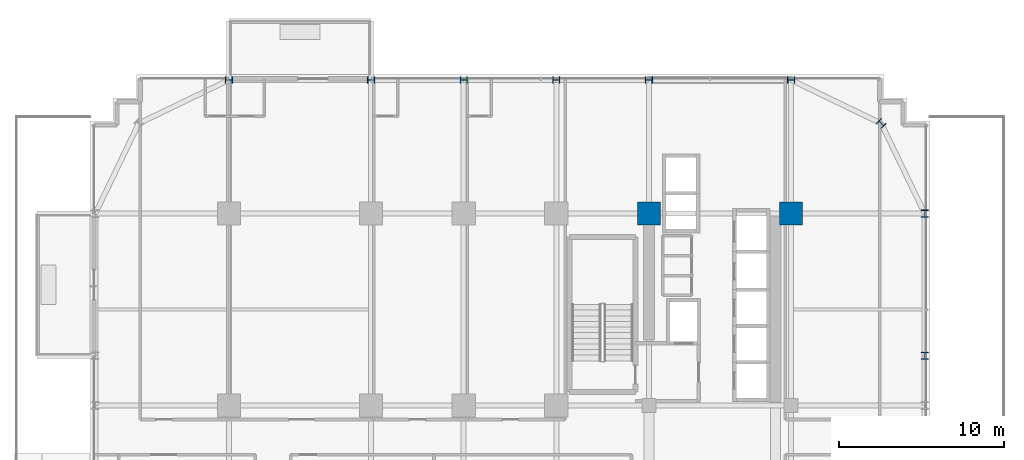
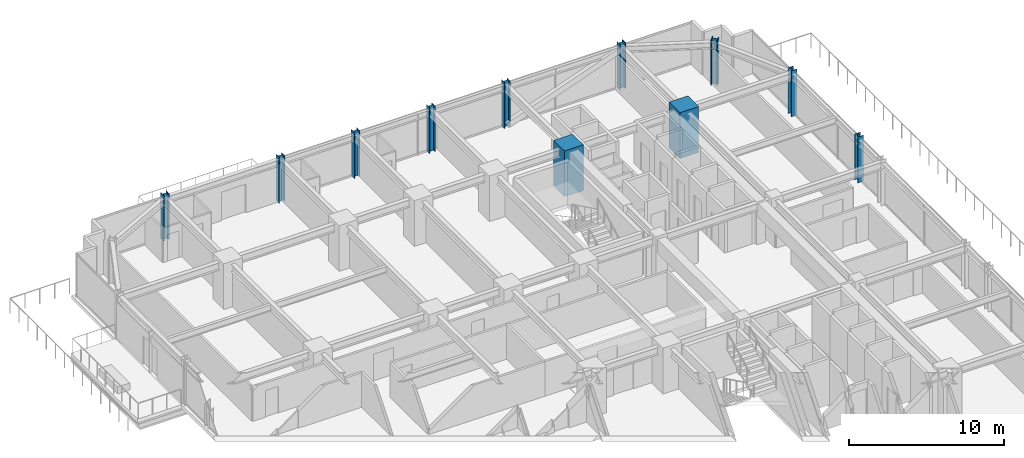
# One storey, part 2 of 39: 11 columns.
"""IFC4 building model written with IfcOpenShell, lengths in metres."""

from ifc_helpers import new_model, si_unit, direction, frame, origin, origin_2d, place, context, subcontext, project, spatial, rectangle, i_section, extrude, source, transform, mapped, material, material_profile, profile_set, type_object, element, save


model = new_model("IFC4")

# Units and contexts
model_context = context("Model", 3, precision=1e-05, world=origin(), true_north=direction((0.0, 1.0)))
body_context = subcontext(model_context, "Body", "Model", "MODEL_VIEW")
ifc_project = project(units=[si_unit("LENGTHUNIT", "METRE"), si_unit("AREAUNIT", "SQUARE_METRE"), si_unit("VOLUMEUNIT", "CUBIC_METRE"), si_unit("PLANEANGLEUNIT", "RADIAN"), si_unit("MASSUNIT", "GRAM", prefix="KILO")], contexts=[model_context])

# Site, building, storey
site_placement = place(None, origin())
site = spatial("IfcSite", under=ifc_project, at=site_placement, CompositionType="ELEMENT")
building_placement = place(site_placement, origin())
building = spatial("IfcBuilding", under=site, at=building_placement, Name="Nahalor Promenade Grand Hotel", CompositionType="ELEMENT")
storey_placement = place(building_placement, frame((0.0, 0.0, 32.39990234375)))
storey = spatial("IfcBuildingStorey", under=building, at=storey_placement, Name="L06", CompositionType="ELEMENT", Elevation=32.39990234375)

# Columns
ifc_material_1 = material(Name="Concrete B-70 (C60/75)", Category="concrete")
ifc_material_profile_1 = material_profile(ifc_material_1, rectangle(XDim=1.4, YDim=1.4, at=origin_2d()), Name="RC 1400x1400")
ifc_profile_set_1 = profile_set([ifc_material_profile_1], Name="Concrete B-70 (C60/75)")
column_type_1 = type_object("IfcColumnType", Name="Col-RC-1400", PredefinedType="COLUMN", material=ifc_profile_set_1)
shared_shape_1 = source(origin(), body_context, "Body", "SweptSolid", [
    extrude(rectangle(XDim=1.4, YDim=1.4, at=origin_2d()), origin(), (0.0, 0.0, 1.0), 3.60498046875),
])
for number, where, z_axis, x_axis, name in (
    (1, (8.39990234375, 17.0, 0.0), (0.0, 0.0, 1.0), (1.0, 0.0, 0.0), "COL-L06-I43"),
    (2, (17.0, 17.0, 0.0), (0.0, 0.0, 1.0), (1.0, 0.0, 0.0), "COL-L06-I53"),
):
    element("IfcColumn", number, at=place(storey_placement, frame(where, z_axis=z_axis, x_axis=x_axis)), inside=storey, type_object=column_type_1, Name=name, PredefinedType="COLUMN", context=body_context, shape_type="MappedRepresentation", body=[
        mapped(shared_shape_1, transform((0.0, 0.0, 0.0), scale=1.0)),
    ])
ifc_material_2 = material(Name="Steel S355J2", Category="steel")
ifc_material_profile_2 = material_profile(ifc_material_2, i_section(OverallWidth=0.412, OverallDepth=0.438, WebThickness=0.0226, FlangeThickness=0.0365, at=origin_2d()), Name="HD 400x463")
ifc_profile_set_2 = profile_set([ifc_material_profile_2], Name="Steel S355J2")
column_type_2 = type_object("IfcColumnType", Name="Col-Steel-HD463", PredefinedType="COLUMN", material=ifc_profile_set_2)
shared_shape_2 = source(origin(), body_context, "Body", "SweptSolid", [
    extrude(i_section(OverallWidth=0.412, OverallDepth=0.438, WebThickness=0.0226, FlangeThickness=0.0365, at=origin_2d()), origin(), (0.0, 0.0, 1.0), 3.60498046875),
])
for number, where, z_axis, x_axis, name in (
    (3, (25.080078125, 8.39990234375, 0.0), (0.0, 0.0, 1.0), (1.0, 0.0, 0.0), "COL-L06-PW-E4"),
    (4, (25.080078125, 17.0, 0.0), (0.0, 0.0, 1.0), (1.0, 0.0, 0.0), "COL-L06-PW-E5"),
    (5, (-17.0, 25.080078125, 0.0), (0.0, 0.0, 1.0), (0.0, 1.0, 0.0), "COL-L06-PN-N0"),
    (6, (-8.39990234375, 25.080078125, 0.0), (0.0, 0.0, 1.0), (0.0, 1.0, 0.0), "COL-L06-PN-N1"),
    (7, (-2.800048828125, 25.080078125, 0.0), (0.0, 0.0, 1.0), (0.0, 1.0, 0.0), "COL-L06-PN-N2"),
    (8, (2.800048828125, 25.080078125, 0.0), (0.0, 0.0, 1.0), (0.0, 1.0, 0.0), "COL-L06-PN-N3"),
    (9, (8.39990234375, 25.080078125, 0.0), (0.0, 0.0, 1.0), (0.0, 1.0, 0.0), "COL-L06-PN-N4"),
    (10, (17.0, 25.080078125, 0.0), (0.0, 0.0, 1.0), (0.0, 1.0, 0.0), "COL-L06-PN-N5"),
    (11, (22.449951171875, 22.449951171875, 0.0), (0.0, 0.0, 1.0), (0.707106781187, 0.707106781187, 0.0), "COL-L06-CRN-NE"),
):
    element("IfcColumn", number, at=place(storey_placement, frame(where, z_axis=z_axis, x_axis=x_axis)), inside=storey, type_object=column_type_2, Name=name, PredefinedType="COLUMN", context=body_context, shape_type="MappedRepresentation", body=[
        mapped(shared_shape_2, transform((0.0, 0.0, 0.0), scale=1.0)),
    ])

save(model, "model.ifc")
